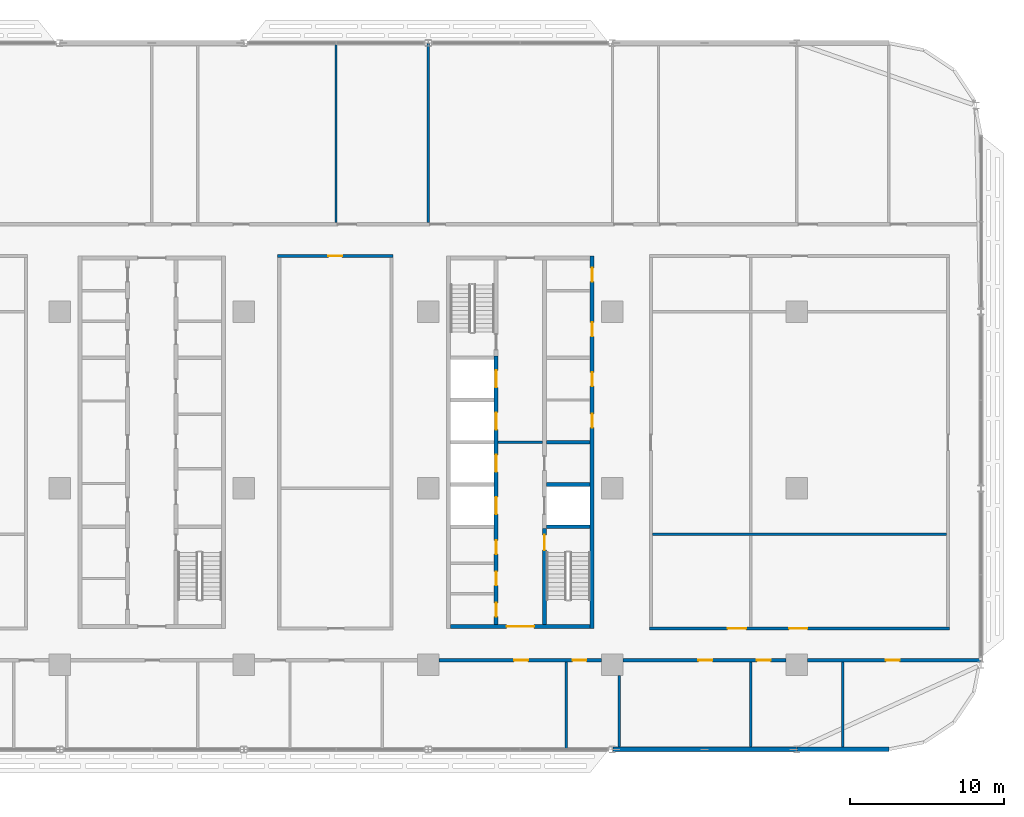
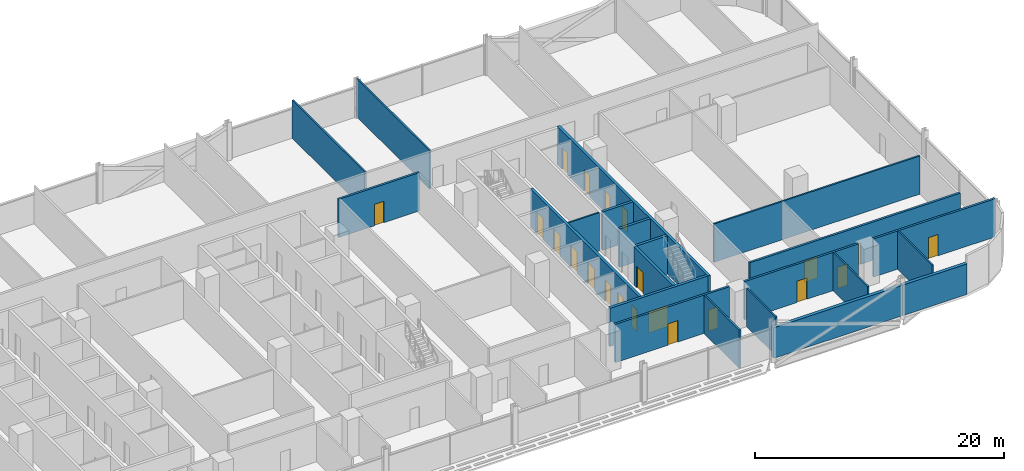
# One storey, part 16 of 29: 22 walls, 21 doors, 21 openings.
"""IFC4 building model written with IfcOpenShell, lengths in metres."""

from ifc_helpers import new_model, si_unit, direction, frame, frame_2d, origin, place, context, subcontext, project, spatial, rectangle, extrude, material, layer, layer_set, type_object, element, fill, save


model = new_model("IFC4")

# Units and contexts
model_context = context("Model", 3, precision=1e-05, world=origin(), true_north=direction((0.0, 1.0)))
body_context = subcontext(model_context, "Body", "Model", "MODEL_VIEW")
ifc_project = project(units=[si_unit("LENGTHUNIT", "METRE"), si_unit("AREAUNIT", "SQUARE_METRE"), si_unit("VOLUMEUNIT", "CUBIC_METRE"), si_unit("PLANEANGLEUNIT", "RADIAN"), si_unit("MASSUNIT", "GRAM", prefix="KILO")], contexts=[model_context])

# Site, building, storey
site_placement = place(None, origin())
site = spatial("IfcSite", under=ifc_project, at=site_placement, CompositionType="ELEMENT")
building_placement = place(site_placement, origin())
building = spatial("IfcBuilding", under=site, at=building_placement, Name="Mahtab Terrace Research Tower", CompositionType="ELEMENT")
storey_placement = place(building_placement, frame((0.0, 0.0, 93.0)))
storey = spatial("IfcBuildingStorey", under=building, at=storey_placement, Name="L21", CompositionType="ELEMENT", Elevation=93.0)

# Wall
ifc_material_1 = material(Name="Gypsum board partition")
ifc_layer_1 = layer(ifc_material_1, 0.14990234375)
ifc_layer_set_1 = layer_set([ifc_layer_1], Name="Core partition 150")
wall_type_1 = type_object("IfcWallType", Name="Core partition 150", PredefinedType="PARTITIONING", material=ifc_layer_set_1)
wall_1_placement = place(storey_placement, frame((22.550048828125, 3.0, 0.0), z_axis=(0.0, 0.0, 1.0), x_axis=(1.0, 0.0, 0.0)))
element("IfcWall", 1, at=wall_1_placement, inside=storey, type_object=wall_type_1, Name="Core wall C ffl", PredefinedType="PARTITIONING", context=body_context, shape_type="SweptSolid", body=[
    extrude(rectangle(XDim=2.89990234375, YDim=0.14990234375, at=frame_2d((1.449951171875, 0.0))), origin(), (0.0, 0.0, 1.0), 3.760009765625),
])

# Wall, openings, doors
ifc_material_2 = material(Name="Concrete C70/85", Category="concrete")
ifc_layer_2 = layer(ifc_material_2, 0.25)
ifc_layer_set_2 = layer_set([ifc_layer_2], Name="Core wall 250")
wall_type_2 = type_object("IfcWallType", Name="Core wall 250", PredefinedType="SOLIDWALL", material=ifc_layer_set_2)
wall_2_placement = place(storey_placement, frame((28.675048828125, -9.125, 0.0), z_axis=(0.0, 0.0, 1.0), x_axis=(0.0, 1.0, 0.0)))
wall_2 = element("IfcWall", 2, at=wall_2_placement, inside=storey, type_object=wall_type_2, Name="Core wall C outerE", PredefinedType="SOLIDWALL", context=body_context, shape_type="SweptSolid", body=[
    extrude(rectangle(XDim=24.25, YDim=0.25, at=frame_2d((12.125, 0.0))), origin(), (0.0, 0.0, 1.0), 3.760009765625),
])
opening_1_placement = place(wall_2_placement, frame((13.074951171875, 0.0, 0.0)))
opening_1 = element("IfcOpeningElement", 3, at=opening_1_placement, cuts=wall_2, Name="Opening C-R2", PredefinedType="OPENING", context=body_context, shape_type="SweptSolid", body=[
    extrude(rectangle(XDim=0.89990234375, YDim=2.10009765625, at=frame_2d((0.449951171875, 1.050048828125))), frame((0.0, 0.135009765625, 0.0), z_axis=(0.0, -1.0, 0.0), x_axis=(1.0, 0.0, 0.0)), (0.0, 0.0, 1.0), 0.27001953125),
])
opening_2_placement = place(wall_2_placement, frame((15.77490234375, 0.0, 0.0)))
opening_2 = element("IfcOpeningElement", 4, at=opening_2_placement, cuts=wall_2, Name="Opening C-R3", PredefinedType="OPENING", context=body_context, shape_type="SweptSolid", body=[
    extrude(rectangle(XDim=0.89990234375, YDim=2.10009765625, at=frame_2d((0.449951171875, 1.050048828125))), frame((0.0, 0.135009765625, 0.0), z_axis=(0.0, -1.0, 0.0), x_axis=(1.0, 0.0, 0.0)), (0.0, 0.0, 1.0), 0.27001953125),
])
opening_3_placement = place(wall_2_placement, frame((19.02490234375, 0.0, 0.0)))
opening_3 = element("IfcOpeningElement", 5, at=opening_3_placement, cuts=wall_2, Name="Opening C-R7", PredefinedType="OPENING", context=body_context, shape_type="SweptSolid", body=[
    extrude(rectangle(XDim=0.89990234375, YDim=2.10009765625, at=frame_2d((0.449951171875, 1.050048828125))), frame((0.0, 0.135009765625, 0.0), z_axis=(0.0, -1.0, 0.0), x_axis=(1.0, 0.0, 0.0)), (0.0, 0.0, 1.0), 0.27001953125),
])
opening_4_placement = place(wall_2_placement, frame((22.58740234375, 0.0, 0.0)))
opening_4 = element("IfcOpeningElement", 6, at=opening_4_placement, cuts=wall_2, Name="Opening C-R8", PredefinedType="OPENING", context=body_context, shape_type="SweptSolid", body=[
    extrude(rectangle(XDim=0.89990234375, YDim=2.10009765625, at=frame_2d((0.449951171875, 1.050048828125))), frame((0.0, 0.135009765625, 0.0), z_axis=(0.0, -1.0, 0.0), x_axis=(1.0, 0.0, 0.0)), (0.0, 0.0, 1.0), 0.27001953125),
])
ifc_material_3 = material(Name="Steel fire door", Category="steel")
door_type_1 = type_object("IfcDoorType", Name="Room door 900x2100 1 HR", OperationType="NOTDEFINED", PredefinedType="DOOR", material=ifc_material_3)
door_1_placement = place(opening_1_placement, origin())
door_1 = element("IfcDoor", 7, at=door_1_placement, inside=storey, type_object=door_type_1, Name="Document store door", OperationType="SINGLE_SWING_RIGHT", OverallHeight=2.10009765625, OverallWidth=0.89990234375, PredefinedType="DOOR", context=body_context, shape_type="SweptSolid", body=[
    extrude(rectangle(XDim=0.89990234375, YDim=2.10009765625, at=frame_2d((0.449951171875, 1.050048828125))), frame((0.0, 0.02490234375, 0.0), z_axis=(0.0, -1.0, 0.0), x_axis=(1.0, 0.0, 0.0)), (0.0, 0.0, 1.0), 0.050048828125),
])
fill(opening_1, door_1)
door_2_placement = place(opening_2_placement, origin())
door_2 = element("IfcDoor", 8, at=door_2_placement, inside=storey, type_object=door_type_1, Name="IT equipment room door", OperationType="SINGLE_SWING_LEFT", OverallHeight=2.10009765625, OverallWidth=0.89990234375, PredefinedType="DOOR", context=body_context, shape_type="SweptSolid", body=[
    extrude(rectangle(XDim=0.89990234375, YDim=2.10009765625, at=frame_2d((0.449951171875, 1.050048828125))), frame((0.0, 0.02490234375, 0.0), z_axis=(0.0, -1.0, 0.0), x_axis=(1.0, 0.0, 0.0)), (0.0, 0.0, 1.0), 0.050048828125),
])
fill(opening_2, door_2)
door_3_placement = place(opening_3_placement, origin())
door_3 = element("IfcDoor", 9, at=door_3_placement, inside=storey, type_object=door_type_1, Name="IT equipment room door", OperationType="SINGLE_SWING_LEFT", OverallHeight=2.10009765625, OverallWidth=0.89990234375, PredefinedType="DOOR", context=body_context, shape_type="SweptSolid", body=[
    extrude(rectangle(XDim=0.89990234375, YDim=2.10009765625, at=frame_2d((0.449951171875, 1.050048828125))), frame((0.0, 0.02490234375, 0.0), z_axis=(0.0, -1.0, 0.0), x_axis=(1.0, 0.0, 0.0)), (0.0, 0.0, 1.0), 0.050048828125),
])
fill(opening_3, door_3)
door_4_placement = place(opening_4_placement, origin())
door_4 = element("IfcDoor", 10, at=door_4_placement, inside=storey, type_object=door_type_1, Name="Electrical riser room door", OperationType="SINGLE_SWING_RIGHT", OverallHeight=2.10009765625, OverallWidth=0.89990234375, PredefinedType="DOOR", context=body_context, shape_type="SweptSolid", body=[
    extrude(rectangle(XDim=0.89990234375, YDim=2.10009765625, at=frame_2d((0.449951171875, 1.050048828125))), frame((0.0, 0.02490234375, 0.0), z_axis=(0.0, -1.0, 0.0), x_axis=(1.0, 0.0, 0.0)), (0.0, 0.0, 1.0), 0.050048828125),
])
fill(opening_4, door_4)

# Wall, opening, door
wall_3_placement = place(storey_placement, frame((28.550048828125, -9.0, 0.0), z_axis=(0.0, 0.0, 1.0), x_axis=(-1.0, 0.0, 0.0)))
wall_3 = element("IfcWall", 11, at=wall_3_placement, inside=storey, type_object=wall_type_2, Name="Core wall C endS", PredefinedType="SOLIDWALL", context=body_context, shape_type="SweptSolid", body=[
    extrude(rectangle(XDim=9.10009765625, YDim=0.25, at=frame_2d((4.550048828125, 0.0))), origin(), (0.0, 0.0, 1.0), 3.760009765625),
])
opening_5_placement = place(wall_3_placement, frame((3.64990234375, 0.0, 0.0)))
opening_5 = element("IfcOpeningElement", 12, at=opening_5_placement, cuts=wall_3, Name="Opening C-S1", PredefinedType="OPENING", context=body_context, shape_type="SweptSolid", body=[
    extrude(rectangle(XDim=1.800048828125, YDim=2.10009765625, at=frame_2d((0.89990234375, 1.050048828125))), frame((0.0, 0.135009765625, 0.0), z_axis=(0.0, -1.0, 0.0), x_axis=(1.0, 0.0, 0.0)), (0.0, 0.0, 1.0), 0.27001953125),
])
door_type_2 = type_object("IfcDoorType", Name="Lobby double door 1800x2100 1 HR", OperationType="DOUBLE_DOOR_SINGLE_SWING", PredefinedType="DOOR", material=ifc_material_3)
door_5_placement = place(opening_5_placement, origin())
door_5 = element("IfcDoor", 13, at=door_5_placement, inside=storey, type_object=door_type_2, Name="Core entrance door C S", OperationType="DOUBLE_DOOR_SINGLE_SWING", OverallHeight=2.10009765625, OverallWidth=1.800048828125, PredefinedType="DOOR", context=body_context, shape_type="SweptSolid", body=[
    extrude(rectangle(XDim=1.800048828125, YDim=2.10009765625, at=frame_2d((0.89990234375, 1.050048828125))), frame((0.0, 0.02490234375, 0.0), z_axis=(0.0, -1.0, 0.0), x_axis=(1.0, 0.0, 0.0)), (0.0, 0.0, 1.0), 0.050048828125),
])
fill(opening_5, door_5)

# Wall, openings, doors
wall_4_placement = place(storey_placement, frame((22.425048828125, -8.875, 0.0), z_axis=(0.0, 0.0, 1.0), x_axis=(0.0, 1.0, 0.0)))
wall_4 = element("IfcWall", 14, at=wall_4_placement, inside=storey, type_object=wall_type_2, Name="Core wall C innerWSL", PredefinedType="SOLIDWALL", context=body_context, shape_type="SweptSolid", body=[
    extrude(rectangle(XDim=17.5, YDim=0.25, at=frame_2d((8.75, 0.0))), origin(), (0.0, 0.0, 1.0), 3.760009765625),
])
opening_6_placement = place(wall_4_placement, frame((7.199951171875, 0.0, 0.0)))
opening_6 = element("IfcOpeningElement", 15, at=opening_6_placement, cuts=wall_4, Name="Opening LD17-L21", PredefinedType="OPENING", context=body_context, shape_type="SweptSolid", body=[
    extrude(rectangle(XDim=1.10009765625, YDim=2.10009765625, at=frame_2d((0.550048828125, 1.050048828125))), frame((0.0, 0.135009765625, 0.0), z_axis=(0.0, -1.0, 0.0), x_axis=(1.0, 0.0, 0.0)), (0.0, 0.0, 1.0), 0.27001953125),
])
opening_7_placement = place(wall_4_placement, frame((9.949951171875, 0.0, 0.0)))
opening_7 = element("IfcOpeningElement", 16, at=opening_7_placement, cuts=wall_4, Name="Opening LD18-L21", PredefinedType="OPENING", context=body_context, shape_type="SweptSolid", body=[
    extrude(rectangle(XDim=1.10009765625, YDim=2.10009765625, at=frame_2d((0.550048828125, 1.050048828125))), frame((0.0, 0.135009765625, 0.0), z_axis=(0.0, -1.0, 0.0), x_axis=(1.0, 0.0, 0.0)), (0.0, 0.0, 1.0), 0.27001953125),
])
opening_8_placement = place(wall_4_placement, frame((12.699951171875, 0.0, 0.0)))
opening_8 = element("IfcOpeningElement", 17, at=opening_8_placement, cuts=wall_4, Name="Opening LD19-L21", PredefinedType="OPENING", context=body_context, shape_type="SweptSolid", body=[
    extrude(rectangle(XDim=1.10009765625, YDim=2.10009765625, at=frame_2d((0.550048828125, 1.050048828125))), frame((0.0, 0.135009765625, 0.0), z_axis=(0.0, -1.0, 0.0), x_axis=(1.0, 0.0, 0.0)), (0.0, 0.0, 1.0), 0.27001953125),
])
opening_9_placement = place(wall_4_placement, frame((15.449951171875, 0.0, 0.0)))
opening_9 = element("IfcOpeningElement", 18, at=opening_9_placement, cuts=wall_4, Name="Opening LD20-L21", PredefinedType="OPENING", context=body_context, shape_type="SweptSolid", body=[
    extrude(rectangle(XDim=1.10009765625, YDim=2.10009765625, at=frame_2d((0.550048828125, 1.050048828125))), frame((0.0, 0.135009765625, 0.0), z_axis=(0.0, -1.0, 0.0), x_axis=(1.0, 0.0, 0.0)), (0.0, 0.0, 1.0), 0.27001953125),
])
opening_10_placement = place(wall_4_placement, frame((0.512451171875, 0.0, 0.0)))
opening_10 = element("IfcOpeningElement", 19, at=opening_10_placement, cuts=wall_4, Name="Opening C-R4", PredefinedType="OPENING", context=body_context, shape_type="SweptSolid", body=[
    extrude(rectangle(XDim=0.89990234375, YDim=2.10009765625, at=frame_2d((0.449951171875, 1.050048828125))), frame((0.0, 0.135009765625, 0.0), z_axis=(0.0, -1.0, 0.0), x_axis=(1.0, 0.0, 0.0)), (0.0, 0.0, 1.0), 0.27001953125),
])
opening_11_placement = place(wall_4_placement, frame((2.550048828125, 0.0, 0.0)))
opening_11 = element("IfcOpeningElement", 20, at=opening_11_placement, cuts=wall_4, Name="Opening C-R5", PredefinedType="OPENING", context=body_context, shape_type="SweptSolid", body=[
    extrude(rectangle(XDim=0.89990234375, YDim=2.10009765625, at=frame_2d((0.449951171875, 1.050048828125))), frame((0.0, 0.135009765625, 0.0), z_axis=(0.0, -1.0, 0.0), x_axis=(1.0, 0.0, 0.0)), (0.0, 0.0, 1.0), 0.27001953125),
])
opening_12_placement = place(wall_4_placement, frame((4.58740234375, 0.0, 0.0)))
opening_12 = element("IfcOpeningElement", 21, at=opening_12_placement, cuts=wall_4, Name="Opening C-R6", PredefinedType="OPENING", context=body_context, shape_type="SweptSolid", body=[
    extrude(rectangle(XDim=0.89990234375, YDim=2.10009765625, at=frame_2d((0.449951171875, 1.050048828125))), frame((0.0, 0.135009765625, 0.0), z_axis=(0.0, -1.0, 0.0), x_axis=(1.0, 0.0, 0.0)), (0.0, 0.0, 1.0), 0.27001953125),
])
ifc_material_4 = material(Name="Stainless steel AISI 304", Category="steel")
door_type_3 = type_object("IfcDoorType", Name="Landing door 1100x2100", OperationType="DOUBLE_DOOR_SLIDING", PredefinedType="DOOR", material=ifc_material_4)
door_6_placement = place(opening_6_placement, origin())
door_6 = element("IfcDoor", 22, at=door_6_placement, inside=storey, type_object=door_type_3, Name="Landing door SV1 L21", OperationType="DOUBLE_DOOR_SLIDING", OverallHeight=2.10009765625, OverallWidth=1.10009765625, PredefinedType="DOOR", context=body_context, shape_type="SweptSolid", body=[
    extrude(rectangle(XDim=1.10009765625, YDim=2.10009765625, at=frame_2d((0.550048828125, 1.050048828125))), frame((0.0, 0.02490234375, 0.0), z_axis=(0.0, -1.0, 0.0), x_axis=(1.0, 0.0, 0.0)), (0.0, 0.0, 1.0), 0.050048828125),
])
fill(opening_6, door_6)
door_7_placement = place(opening_7_placement, origin())
door_7 = element("IfcDoor", 23, at=door_7_placement, inside=storey, type_object=door_type_3, Name="Landing door SV2 L21", OperationType="DOUBLE_DOOR_SLIDING", OverallHeight=2.10009765625, OverallWidth=1.10009765625, PredefinedType="DOOR", context=body_context, shape_type="SweptSolid", body=[
    extrude(rectangle(XDim=1.10009765625, YDim=2.10009765625, at=frame_2d((0.550048828125, 1.050048828125))), frame((0.0, 0.02490234375, 0.0), z_axis=(0.0, -1.0, 0.0), x_axis=(1.0, 0.0, 0.0)), (0.0, 0.0, 1.0), 0.050048828125),
])
fill(opening_7, door_7)
door_8_placement = place(opening_8_placement, origin())
door_8 = element("IfcDoor", 24, at=door_8_placement, inside=storey, type_object=door_type_3, Name="Landing door FF1 L21", OperationType="DOUBLE_DOOR_SLIDING", OverallHeight=2.10009765625, OverallWidth=1.10009765625, PredefinedType="DOOR", context=body_context, shape_type="SweptSolid", body=[
    extrude(rectangle(XDim=1.10009765625, YDim=2.10009765625, at=frame_2d((0.550048828125, 1.050048828125))), frame((0.0, 0.02490234375, 0.0), z_axis=(0.0, -1.0, 0.0), x_axis=(1.0, 0.0, 0.0)), (0.0, 0.0, 1.0), 0.050048828125),
])
fill(opening_8, door_8)
door_9_placement = place(opening_9_placement, origin())
door_9 = element("IfcDoor", 25, at=door_9_placement, inside=storey, type_object=door_type_3, Name="Landing door FF2 L21", OperationType="DOUBLE_DOOR_SLIDING", OverallHeight=2.10009765625, OverallWidth=1.10009765625, PredefinedType="DOOR", context=body_context, shape_type="SweptSolid", body=[
    extrude(rectangle(XDim=1.10009765625, YDim=2.10009765625, at=frame_2d((0.550048828125, 1.050048828125))), frame((0.0, 0.02490234375, 0.0), z_axis=(0.0, -1.0, 0.0), x_axis=(1.0, 0.0, 0.0)), (0.0, 0.0, 1.0), 0.050048828125),
])
fill(opening_9, door_9)
door_10_placement = place(opening_10_placement, origin())
door_10 = element("IfcDoor", 26, at=door_10_placement, inside=storey, type_object=door_type_1, Name="Male WC door", OperationType="SINGLE_SWING_RIGHT", OverallHeight=2.10009765625, OverallWidth=0.89990234375, PredefinedType="DOOR", context=body_context, shape_type="SweptSolid", body=[
    extrude(rectangle(XDim=0.89990234375, YDim=2.10009765625, at=frame_2d((0.449951171875, 1.050048828125))), frame((0.0, 0.02490234375, 0.0), z_axis=(0.0, -1.0, 0.0), x_axis=(1.0, 0.0, 0.0)), (0.0, 0.0, 1.0), 0.050048828125),
])
fill(opening_10, door_10)
door_11_placement = place(opening_11_placement, origin())
door_11 = element("IfcDoor", 27, at=door_11_placement, inside=storey, type_object=door_type_1, Name="Female WC door", OperationType="SINGLE_SWING_LEFT", OverallHeight=2.10009765625, OverallWidth=0.89990234375, PredefinedType="DOOR", context=body_context, shape_type="SweptSolid", body=[
    extrude(rectangle(XDim=0.89990234375, YDim=2.10009765625, at=frame_2d((0.449951171875, 1.050048828125))), frame((0.0, 0.02490234375, 0.0), z_axis=(0.0, -1.0, 0.0), x_axis=(1.0, 0.0, 0.0)), (0.0, 0.0, 1.0), 0.050048828125),
])
fill(opening_11, door_11)
door_12_placement = place(opening_12_placement, origin())
door_12 = element("IfcDoor", 28, at=door_12_placement, inside=storey, type_object=door_type_1, Name="Accessible WC door", OperationType="SINGLE_SWING_RIGHT", OverallHeight=2.10009765625, OverallWidth=0.89990234375, PredefinedType="DOOR", context=body_context, shape_type="SweptSolid", body=[
    extrude(rectangle(XDim=0.89990234375, YDim=2.10009765625, at=frame_2d((0.449951171875, 1.050048828125))), frame((0.0, 0.02490234375, 0.0), z_axis=(0.0, -1.0, 0.0), x_axis=(1.0, 0.0, 0.0)), (0.0, 0.0, 1.0), 0.050048828125),
])
fill(opening_12, door_12)

# Wall, opening, door
wall_5_placement = place(storey_placement, frame((25.574951171875, -8.875, 0.0), z_axis=(0.0, 0.0, 1.0), x_axis=(0.0, 1.0, 0.0)))
wall_5 = element("IfcWall", 29, at=wall_5_placement, inside=storey, type_object=wall_type_2, Name="Core wall C innerES", PredefinedType="SOLIDWALL", context=body_context, shape_type="SweptSolid", body=[
    extrude(rectangle(XDim=6.25, YDim=0.25, at=frame_2d((3.125, 0.0))), origin(), (0.0, 0.0, 1.0), 3.760009765625),
])
opening_13_placement = place(wall_5_placement, frame((4.85009765625, 0.0, 0.0)))
opening_13 = element("IfcOpeningElement", 30, at=opening_13_placement, cuts=wall_5, Name="Opening C-ST4", PredefinedType="OPENING", context=body_context, shape_type="SweptSolid", body=[
    extrude(rectangle(XDim=1.0, YDim=2.10009765625, at=frame_2d((0.5, 1.050048828125))), frame((0.0, 0.135009765625, 0.0), z_axis=(0.0, -1.0, 0.0), x_axis=(1.0, 0.0, 0.0)), (0.0, 0.0, 1.0), 0.27001953125),
])
door_type_4 = type_object("IfcDoorType", Name="Stair door 1000x2100 1.5 HR", OperationType="NOTDEFINED", PredefinedType="DOOR", material=ifc_material_3)
door_13_placement = place(opening_13_placement, origin())
door_13 = element("IfcDoor", 31, at=door_13_placement, inside=storey, type_object=door_type_4, Name="Stair door ST4 L21", OperationType="SINGLE_SWING_RIGHT", OverallHeight=2.10009765625, OverallWidth=1.0, PredefinedType="DOOR", context=body_context, shape_type="SweptSolid", body=[
    extrude(rectangle(XDim=1.0, YDim=2.10009765625, at=frame_2d((0.5, 1.050048828125))), frame((0.0, 0.02490234375, 0.0), z_axis=(0.0, -1.0, 0.0), x_axis=(1.0, 0.0, 0.0)), (0.0, 0.0, 1.0), 0.050048828125),
])
fill(opening_13, door_13)

# Walls
for number, where, z_axis, x_axis, name in (
    (32, (25.699951171875, -2.5, 0.0), (0.0, 0.0, 1.0), (1.0, 0.0, 0.0), "Core wall C divE0"),
    (33, (25.699951171875, 0.25, 0.0), (0.0, 0.0, 1.0), (1.0, 0.0, 0.0), "Core wall C divE1"),
    (34, (25.699951171875, 3.0, 0.0), (0.0, 0.0, 1.0), (1.0, 0.0, 0.0), "Core wall C divE2"),
):
    element("IfcWall", number, at=place(storey_placement, frame(where, z_axis=z_axis, x_axis=x_axis)), inside=storey, type_object=wall_type_2, Name=name, PredefinedType="SOLIDWALL", context=body_context, shape_type="SweptSolid", body=[
        extrude(rectangle(XDim=2.85009765625, YDim=0.25, at=frame_2d((1.425048828125, 0.0))), origin(), (0.0, 0.0, 1.0), 3.760009765625),
    ])
ifc_material_5 = material(Name="Black aluminium cladding panel", Category="aluminium")
ifc_layer_3 = layer(ifc_material_5, 0.300048828125)
ifc_layer_set_3 = layer_set([ifc_layer_3], Name="Opaque facade wall 300")
wall_type_3 = type_object("IfcWallType", Name="Opaque facade wall 300", PredefinedType="NOTDEFINED", material=ifc_layer_set_3)
wall_6_placement = place(storey_placement, frame((30.02099609375, -17.0, 0.0), z_axis=(0.0, 0.0, 1.0), x_axis=(1.0, 0.0, 0.0)))
element("IfcWall", 35, at=wall_6_placement, inside=storey, type_object=wall_type_3, Name="Opaque facade wall L21 S29", PredefinedType="NOTDEFINED", context=body_context, shape_type="SweptSolid", body=[
    extrude(rectangle(XDim=11.9580078125, YDim=0.300048828125, at=frame_2d((5.97900390625, 0.0))), origin(), (0.0, 0.0, 1.0), 3.003173828125),
])
wall_7_placement = place(storey_placement, frame((42.02099609375, -17.0, 0.0), z_axis=(0.0, 0.0, 1.0), x_axis=(1.0, 0.0, 0.0)))
element("IfcWall", 36, at=wall_7_placement, inside=storey, type_object=wall_type_3, Name="Opaque facade wall L21 S30", PredefinedType="NOTDEFINED", context=body_context, shape_type="SweptSolid", body=[
    extrude(rectangle(XDim=5.97900390625, YDim=0.300048828125, at=frame_2d((2.989501953125, 0.0))), origin(), (0.0, 0.0, 1.0), 3.003173828125),
])

# Wall, openings, doors
ifc_material_6 = material(Name="Gypsum board corridor wall on steel studs", Category="steel")
ifc_layer_4 = layer(ifc_material_6, 0.199951171875)
ifc_layer_set_4 = layer_set([ifc_layer_4], Name="WALL CORRIDOR 200")
wall_type_4 = type_object("IfcWallType", Name="WALL CORRIDOR 200", PredefinedType="PARTITIONING", material=ifc_layer_set_4)
wall_8_placement = place(storey_placement, frame((18.699951171875, -11.199951171875, 0.0), z_axis=(0.0, 0.0, 1.0), x_axis=(1.0, 0.0, 0.0)))
wall_8 = element("IfcWall", 37, at=wall_8_placement, inside=storey, type_object=wall_type_4, Name="L21-W006", PredefinedType="PARTITIONING", context=body_context, shape_type="SweptSolid", body=[
    extrude(rectangle(XDim=10.60009765625, YDim=0.199951171875, at=frame_2d((5.300048828125, 0.0))), origin(), (0.0, 0.0, 1.0), 3.760009765625),
])
opening_14_placement = place(wall_8_placement, frame((4.89990234375, 0.0, 0.0)))
opening_14 = element("IfcOpeningElement", 38, at=opening_14_placement, cuts=wall_8, Name="Opening L21-109", PredefinedType="OPENING", context=body_context, shape_type="SweptSolid", body=[
    extrude(rectangle(XDim=0.89990234375, YDim=2.10009765625, at=frame_2d((0.449951171875, 1.050048828125))), frame((0.0, 0.10986328125, 0.0), z_axis=(0.0, -1.0, 0.0), x_axis=(1.0, 0.0, 0.0)), (0.0, 0.0, 1.0), 0.219970703125),
])
opening_15_placement = place(wall_8_placement, frame((8.699951171875, 0.0, 0.0)))
opening_15 = element("IfcOpeningElement", 39, at=opening_15_placement, cuts=wall_8, Name="Opening L21-110", PredefinedType="OPENING", context=body_context, shape_type="SweptSolid", body=[
    extrude(rectangle(XDim=0.89990234375, YDim=2.10009765625, at=frame_2d((0.449951171875, 1.050048828125))), frame((0.0, 0.10986328125, 0.0), z_axis=(0.0, -1.0, 0.0), x_axis=(1.0, 0.0, 0.0)), (0.0, 0.0, 1.0), 0.219970703125),
])
ifc_material_7 = material(Name="Timber door leaf in steel frame", Category="steel")
door_type_5 = type_object("IfcDoorType", Name="DOOR 0900X2100 FD30S", OperationType="SINGLE_SWING_LEFT", PredefinedType="DOOR", material=ifc_material_7)
door_14_placement = place(opening_14_placement, origin())
door_14 = element("IfcDoor", 40, at=door_14_placement, inside=storey, type_object=door_type_5, Name="Door L21-109", OperationType="SINGLE_SWING_LEFT", OverallHeight=2.10009765625, OverallWidth=0.89990234375, PredefinedType="DOOR", context=body_context, shape_type="SweptSolid", body=[
    extrude(rectangle(XDim=0.89990234375, YDim=2.10009765625, at=frame_2d((0.449951171875, 1.050048828125))), frame((0.0, 0.02490234375, 0.0), z_axis=(0.0, -1.0, 0.0), x_axis=(1.0, 0.0, 0.0)), (0.0, 0.0, 1.0), 0.050048828125),
])
fill(opening_14, door_14)
door_15_placement = place(opening_15_placement, origin())
door_15 = element("IfcDoor", 41, at=door_15_placement, inside=storey, type_object=door_type_5, Name="Door L21-110", OperationType="SINGLE_SWING_LEFT", OverallHeight=2.10009765625, OverallWidth=0.89990234375, PredefinedType="DOOR", context=body_context, shape_type="SweptSolid", body=[
    extrude(rectangle(XDim=0.89990234375, YDim=2.10009765625, at=frame_2d((0.449951171875, 1.050048828125))), frame((0.0, 0.02490234375, 0.0), z_axis=(0.0, -1.0, 0.0), x_axis=(1.0, 0.0, 0.0)), (0.0, 0.0, 1.0), 0.050048828125),
])
fill(opening_15, door_15)

wall_9_placement = place(storey_placement, frame((30.699951171875, -11.199951171875, 0.0), z_axis=(0.0, 0.0, 1.0), x_axis=(1.0, 0.0, 0.0)))
wall_9 = element("IfcWall", 42, at=wall_9_placement, inside=storey, type_object=wall_type_4, Name="L21-W007", PredefinedType="PARTITIONING", context=body_context, shape_type="SweptSolid", body=[
    extrude(rectangle(XDim=10.60009765625, YDim=0.199951171875, at=frame_2d((5.300048828125, 0.0))), origin(), (0.0, 0.0, 1.0), 3.760009765625),
])
opening_16_placement = place(wall_9_placement, frame((4.89990234375, 0.0, 0.0)))
opening_16 = element("IfcOpeningElement", 43, at=opening_16_placement, cuts=wall_9, Name="Opening L21-111", PredefinedType="OPENING", context=body_context, shape_type="SweptSolid", body=[
    extrude(rectangle(XDim=0.89990234375, YDim=2.10009765625, at=frame_2d((0.449951171875, 1.050048828125))), frame((0.0, 0.10986328125, 0.0), z_axis=(0.0, -1.0, 0.0), x_axis=(1.0, 0.0, 0.0)), (0.0, 0.0, 1.0), 0.219970703125),
])
opening_17_placement = place(wall_9_placement, frame((8.699951171875, 0.0, 0.0)))
opening_17 = element("IfcOpeningElement", 44, at=opening_17_placement, cuts=wall_9, Name="Opening L21-112", PredefinedType="OPENING", context=body_context, shape_type="SweptSolid", body=[
    extrude(rectangle(XDim=0.89990234375, YDim=2.10009765625, at=frame_2d((0.449951171875, 1.050048828125))), frame((0.0, 0.10986328125, 0.0), z_axis=(0.0, -1.0, 0.0), x_axis=(1.0, 0.0, 0.0)), (0.0, 0.0, 1.0), 0.219970703125),
])
door_16_placement = place(opening_16_placement, origin())
door_16 = element("IfcDoor", 45, at=door_16_placement, inside=storey, type_object=door_type_5, Name="Door L21-111", OperationType="SINGLE_SWING_LEFT", OverallHeight=2.10009765625, OverallWidth=0.89990234375, PredefinedType="DOOR", context=body_context, shape_type="SweptSolid", body=[
    extrude(rectangle(XDim=0.89990234375, YDim=2.10009765625, at=frame_2d((0.449951171875, 1.050048828125))), frame((0.0, 0.02490234375, 0.0), z_axis=(0.0, -1.0, 0.0), x_axis=(1.0, 0.0, 0.0)), (0.0, 0.0, 1.0), 0.050048828125),
])
fill(opening_16, door_16)
door_17_placement = place(opening_17_placement, origin())
door_17 = element("IfcDoor", 46, at=door_17_placement, inside=storey, type_object=door_type_5, Name="Door L21-112", OperationType="SINGLE_SWING_LEFT", OverallHeight=2.10009765625, OverallWidth=0.89990234375, PredefinedType="DOOR", context=body_context, shape_type="SweptSolid", body=[
    extrude(rectangle(XDim=0.89990234375, YDim=2.10009765625, at=frame_2d((0.449951171875, 1.050048828125))), frame((0.0, 0.02490234375, 0.0), z_axis=(0.0, -1.0, 0.0), x_axis=(1.0, 0.0, 0.0)), (0.0, 0.0, 1.0), 0.050048828125),
])
fill(opening_17, door_17)

# Wall, opening, door
wall_10_placement = place(storey_placement, frame((42.699951171875, -11.199951171875, 0.0), z_axis=(0.0, 0.0, 1.0), x_axis=(1.0, 0.0, 0.0)))
wall_10 = element("IfcWall", 47, at=wall_10_placement, inside=storey, type_object=wall_type_4, Name="L21-W008", PredefinedType="PARTITIONING", context=body_context, shape_type="SweptSolid", body=[
    extrude(rectangle(XDim=11.275146484375, YDim=0.199951171875, at=frame_2d((5.6376953125, 0.0))), origin(), (0.0, 0.0, 1.0), 3.760009765625),
])
opening_18_placement = place(wall_10_placement, frame((5.10009765625, 0.0, 0.0)))
opening_18 = element("IfcOpeningElement", 48, at=opening_18_placement, cuts=wall_10, Name="Opening L21-113", PredefinedType="OPENING", context=body_context, shape_type="SweptSolid", body=[
    extrude(rectangle(XDim=0.89990234375, YDim=2.10009765625, at=frame_2d((0.449951171875, 1.050048828125))), frame((0.0, 0.10986328125, 0.0), z_axis=(0.0, -1.0, 0.0), x_axis=(1.0, 0.0, 0.0)), (0.0, 0.0, 1.0), 0.219970703125),
])
door_18_placement = place(opening_18_placement, origin())
door_18 = element("IfcDoor", 49, at=door_18_placement, inside=storey, type_object=door_type_5, Name="Door L21-113", OperationType="SINGLE_SWING_RIGHT", OverallHeight=2.10009765625, OverallWidth=0.89990234375, PredefinedType="DOOR", context=body_context, shape_type="SweptSolid", body=[
    extrude(rectangle(XDim=0.89990234375, YDim=2.10009765625, at=frame_2d((0.449951171875, 1.050048828125))), frame((0.0, 0.02490234375, 0.0), z_axis=(0.0, -1.0, 0.0), x_axis=(1.0, 0.0, 0.0)), (0.0, 0.0, 1.0), 0.050048828125),
])
fill(opening_18, door_18)

# Wall, openings, doors
wall_11_placement = place(storey_placement, frame((32.39990234375, -9.125, 0.0), z_axis=(0.0, 0.0, 1.0), x_axis=(1.0, 0.0, 0.0)))
wall_11 = element("IfcWall", 50, at=wall_11_placement, inside=storey, type_object=wall_type_4, Name="L21-W012", PredefinedType="PARTITIONING", context=body_context, shape_type="SweptSolid", body=[
    extrude(rectangle(XDim=19.550048828125, YDim=0.199951171875, at=frame_2d((9.77490234375, 0.0))), origin(), (0.0, 0.0, 1.0), 3.760009765625),
])
opening_19_placement = place(wall_11_placement, frame((5.10009765625, 0.0, 0.0)))
opening_19 = element("IfcOpeningElement", 51, at=opening_19_placement, cuts=wall_11, Name="Opening L21-115", PredefinedType="OPENING", context=body_context, shape_type="SweptSolid", body=[
    extrude(rectangle(XDim=1.199951171875, YDim=2.10009765625, at=frame_2d((0.60009765625, 1.050048828125))), frame((0.0, 0.10986328125, 0.0), z_axis=(0.0, -1.0, 0.0), x_axis=(1.0, 0.0, 0.0)), (0.0, 0.0, 1.0), 0.219970703125),
])
opening_20_placement = place(wall_11_placement, frame((9.10009765625, 0.0, 0.0)))
opening_20 = element("IfcOpeningElement", 52, at=opening_20_placement, cuts=wall_11, Name="Opening L21-116", PredefinedType="OPENING", context=body_context, shape_type="SweptSolid", body=[
    extrude(rectangle(XDim=1.199951171875, YDim=2.10009765625, at=frame_2d((0.60009765625, 1.050048828125))), frame((0.0, 0.10986328125, 0.0), z_axis=(0.0, -1.0, 0.0), x_axis=(1.0, 0.0, 0.0)), (0.0, 0.0, 1.0), 0.219970703125),
])
door_type_6 = type_object("IfcDoorType", Name="DOOR 1200X2100 FD30S", OperationType="SINGLE_SWING_LEFT", PredefinedType="DOOR", material=ifc_material_7)
door_19_placement = place(opening_19_placement, origin())
door_19 = element("IfcDoor", 53, at=door_19_placement, inside=storey, type_object=door_type_6, Name="Door L21-115", OperationType="SINGLE_SWING_LEFT", OverallHeight=2.10009765625, OverallWidth=1.199951171875, PredefinedType="DOOR", context=body_context, shape_type="SweptSolid", body=[
    extrude(rectangle(XDim=1.199951171875, YDim=2.10009765625, at=frame_2d((0.60009765625, 1.050048828125))), frame((0.0, 0.02490234375, 0.0), z_axis=(0.0, -1.0, 0.0), x_axis=(1.0, 0.0, 0.0)), (0.0, 0.0, 1.0), 0.050048828125),
])
fill(opening_19, door_19)
door_20_placement = place(opening_20_placement, origin())
door_20 = element("IfcDoor", 54, at=door_20_placement, inside=storey, type_object=door_type_6, Name="Door L21-116", OperationType="SINGLE_SWING_LEFT", OverallHeight=2.10009765625, OverallWidth=1.199951171875, PredefinedType="DOOR", context=body_context, shape_type="SweptSolid", body=[
    extrude(rectangle(XDim=1.199951171875, YDim=2.10009765625, at=frame_2d((0.60009765625, 1.050048828125))), frame((0.0, 0.02490234375, 0.0), z_axis=(0.0, -1.0, 0.0), x_axis=(1.0, 0.0, 0.0)), (0.0, 0.0, 1.0), 0.050048828125),
])
fill(opening_20, door_20)

# Wall, opening, door
wall_12_placement = place(storey_placement, frame((8.199951171875, 15.125, 0.0), z_axis=(0.0, 0.0, 1.0), x_axis=(1.0, 0.0, 0.0)))
wall_12 = element("IfcWall", 55, at=wall_12_placement, inside=storey, type_object=wall_type_4, Name="L21-W022", PredefinedType="PARTITIONING", context=body_context, shape_type="SweptSolid", body=[
    extrude(rectangle(XDim=7.5, YDim=0.199951171875, at=frame_2d((3.75, 0.0))), origin(), (0.0, 0.0, 1.0), 3.760009765625),
])
opening_21_placement = place(wall_12_placement, frame((3.300048828125, 0.0, 0.0)))
opening_21 = element("IfcOpeningElement", 56, at=opening_21_placement, cuts=wall_12, Name="Opening L21-123", PredefinedType="OPENING", context=body_context, shape_type="SweptSolid", body=[
    extrude(rectangle(XDim=0.89990234375, YDim=2.10009765625, at=frame_2d((0.449951171875, 1.050048828125))), frame((0.0, 0.10986328125, 0.0), z_axis=(0.0, -1.0, 0.0), x_axis=(1.0, 0.0, 0.0)), (0.0, 0.0, 1.0), 0.219970703125),
])
door_21_placement = place(opening_21_placement, origin())
door_21 = element("IfcDoor", 57, at=door_21_placement, inside=storey, type_object=door_type_5, Name="Door L21-123", OperationType="SINGLE_SWING_LEFT", OverallHeight=2.10009765625, OverallWidth=0.89990234375, PredefinedType="DOOR", context=body_context, shape_type="SweptSolid", body=[
    extrude(rectangle(XDim=0.89990234375, YDim=2.10009765625, at=frame_2d((0.449951171875, 1.050048828125))), frame((0.0, 0.02490234375, 0.0), z_axis=(0.0, -1.0, 0.0), x_axis=(1.0, 0.0, 0.0)), (0.0, 0.0, 1.0), 0.050048828125),
])
fill(opening_21, door_21)

# Walls
ifc_material_8 = material(Name="Gypsum board partition on steel studs", Category="steel")
ifc_layer_5 = layer(ifc_material_8, 0.14990234375)
ifc_layer_set_5 = layer_set([ifc_layer_5], Name="WALL PARTITION 150")
wall_type_5 = type_object("IfcWallType", Name="WALL PARTITION 150", PredefinedType="PARTITIONING", material=ifc_layer_set_5)
wall_13_placement = place(storey_placement, frame((32.60009765625, -3.0, 0.0), z_axis=(0.0, 0.0, 1.0), x_axis=(1.0, 0.0, 0.0)))
element("IfcWall", 58, at=wall_13_placement, inside=storey, type_object=wall_type_5, Name="L21-W014", PredefinedType="PARTITIONING", context=body_context, shape_type="SweptSolid", body=[
    extrude(rectangle(XDim=19.14990234375, YDim=0.14990234375, at=frame_2d((9.574951171875, 0.0))), origin(), (0.0, 0.0, 1.0), 3.760009765625),
])
for number, where, z_axis, x_axis, name in (
    (59, (12.0, 17.300048828125, 0.0), (0.0, 0.0, 1.0), (0.0, 1.0, 0.0), "L21-W043"),
    (60, (18.0, 17.300048828125, 0.0), (0.0, 0.0, 1.0), (0.0, 1.0, 0.0), "L21-W046"),
):
    element("IfcWall", number, at=place(storey_placement, frame(where, z_axis=z_axis, x_axis=x_axis)), inside=storey, type_object=wall_type_5, Name=name, PredefinedType="PARTITIONING", context=body_context, shape_type="SweptSolid", body=[
        extrude(rectangle(XDim=11.675048828125, YDim=0.14990234375, at=frame_2d((5.83740234375, 0.0))), origin(), (0.0, 0.0, 1.0), 3.760009765625),
    ])
wall_14_placement = place(storey_placement, frame((27.0, -16.97509765625, 0.0), z_axis=(0.0, 0.0, 1.0), x_axis=(0.0, 1.0, 0.0)))
element("IfcWall", 61, at=wall_14_placement, inside=storey, type_object=wall_type_5, Name="L21-W047", PredefinedType="PARTITIONING", context=body_context, shape_type="SweptSolid", body=[
    extrude(rectangle(XDim=5.675048828125, YDim=0.14990234375, at=frame_2d((2.83740234375, 0.0))), origin(), (0.0, 0.0, 1.0), 3.760009765625),
])
wall_15_placement = place(storey_placement, frame((30.449951171875, -16.85009765625, 0.0), z_axis=(0.0, 0.0, 1.0), x_axis=(0.0, 1.0, 0.0)))
element("IfcWall", 62, at=wall_15_placement, inside=storey, type_object=wall_type_5, Name="L21-W049", PredefinedType="PARTITIONING", context=body_context, shape_type="SweptSolid", body=[
    extrude(rectangle(XDim=4.650146484375, YDim=0.14990234375, at=frame_2d((2.3251953125, 0.0))), origin(), (0.0, 0.0, 1.0), 3.760009765625),
])
for number, where, z_axis, x_axis, name in (
    (63, (39.0, -16.85009765625, 0.0), (0.0, 0.0, 1.0), (0.0, 1.0, 0.0), "L21-W052"),
    (64, (45.0, -16.85009765625, 0.0), (0.0, 0.0, 1.0), (0.0, 1.0, 0.0), "L21-W055"),
):
    element("IfcWall", number, at=place(storey_placement, frame(where, z_axis=z_axis, x_axis=x_axis)), inside=storey, type_object=wall_type_5, Name=name, PredefinedType="PARTITIONING", context=body_context, shape_type="SweptSolid", body=[
        extrude(rectangle(XDim=5.550048828125, YDim=0.14990234375, at=frame_2d((2.77490234375, 0.0))), origin(), (0.0, 0.0, 1.0), 3.760009765625),
    ])

save(model, "model.ifc")
